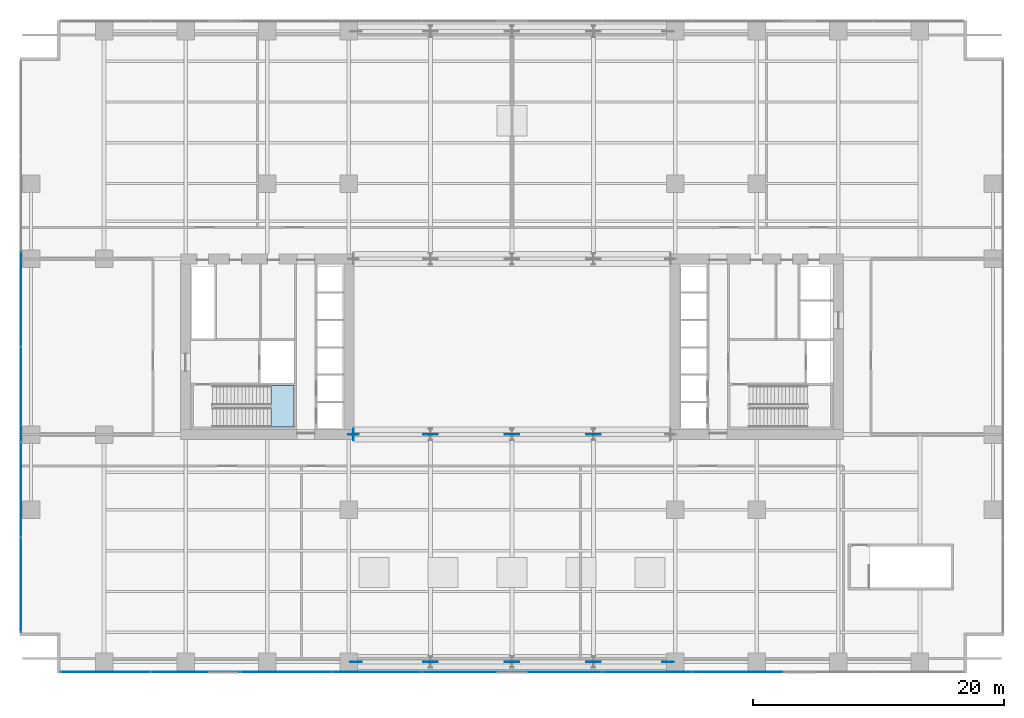
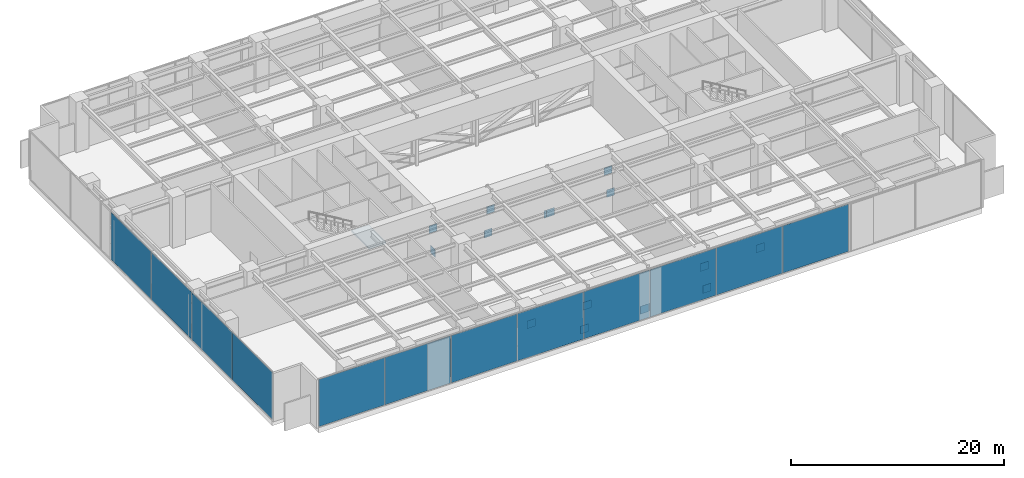
# One storey, part 16 of 25: 28 plates, 1 slab, 3 elements without a shape of their own.
"""IFC4 building model written with IfcOpenShell, lengths in metres."""

from ifc_helpers import new_model, si_unit, direction, frame, origin, origin_2d, place, context, subcontext, project, spatial, polyline, rectangle, outline, extrude, material, layer, layer_set, type_object, element, aggregate, save


model = new_model("IFC4")

# Units and contexts
model_context = context("Model", 3, precision=1e-05, world=origin(), true_north=direction((0.0, 1.0)))
body_context = subcontext(model_context, "Body", "Model", "MODEL_VIEW")
ifc_project = project(units=[si_unit("LENGTHUNIT", "METRE"), si_unit("AREAUNIT", "SQUARE_METRE"), si_unit("VOLUMEUNIT", "CUBIC_METRE"), si_unit("PLANEANGLEUNIT", "RADIAN"), si_unit("MASSUNIT", "GRAM", prefix="KILO")], contexts=[model_context])

# Site, building, storey
site_placement = place(None, origin())
site = spatial("IfcSite", under=ifc_project, at=site_placement, CompositionType="ELEMENT")
building_placement = place(site_placement, origin())
building = spatial("IfcBuilding", under=site, at=building_placement, Name="Putna Gate Headquarters", CompositionType="ELEMENT")
storey_placement = place(building_placement, frame((0.0, 0.0, 22.0)))
storey = spatial("IfcBuildingStorey", under=building, at=storey_placement, Name="L04", CompositionType="ELEMENT", Elevation=22.0)

# Stair, slab
ifc_material_1 = material(Name="Concrete C40/50", Category="concrete")
stair_type = type_object("IfcStairType", Name="STAIR-ST1", PredefinedType="HALF_TURN_STAIR", material=ifc_material_1)
stair_placement = place(storey_placement, origin())
stair = element("IfcStair", 1, at=stair_placement, inside=storey, type_object=stair_type, Name="L04 West Core Exit Stair ST1", PredefinedType="HALF_TURN_STAIR")
ifc_layer_1 = layer(ifc_material_1, 0.199951171875)
ifc_layer_set_1 = layer_set([ifc_layer_1], Name="Concrete C40/50")
slab_type = type_object("IfcSlabType", Name="LANDING-ST1", PredefinedType="LANDING", material=ifc_layer_set_1)
slab_placement = place(storey_placement, frame((0.0, 0.0, 2.699951171875)))
slab = element("IfcSlab", 2, at=slab_placement, type_object=slab_type, Name="ST1 landing 1", PredefinedType="LANDING", context=body_context, shape_type="SweptSolid", body=[
    extrude(outline(polyline([(19.7900390625, 19.60009765625), (21.64990234375, 19.60009765625), (21.64990234375, 22.89990234375), (19.7900390625, 22.89990234375), (19.7900390625, 19.60009765625)])), origin(), (0.0, 0.0, 1.0), 0.199951171875),
])
aggregate(stair, [slab])

# Curtain wall, plates
ifc_material_2 = material(Name="Anodised bronze aluminium curtain wall", Category="aluminium")
ifc_layer_2 = layer(ifc_material_2, 0.159912109375)
ifc_layer_set_2 = layer_set([ifc_layer_2], Name="Anodised bronze aluminium curtain wall")
curtain_wall_type = type_object("IfcCurtainWallType", Name="CW-SYS-CRN", PredefinedType="USERDEFINED", material=ifc_layer_set_2)
curtain_wall_1_placement = place(storey_placement, origin())
curtain_wall_1 = element("IfcCurtainWall", 3, at=curtain_wall_1_placement, inside=storey, type_object=curtain_wall_type, Name="L04 Acoustic Louvre South Enclosure", ObjectType="STICK CURTAIN WALL", PredefinedType="USERDEFINED")
ifc_material_3 = material(Name="Anodised bronze acoustic louvre panel", Category="aluminium")
ifc_layer_3 = layer(ifc_material_3, 0.044921875)
ifc_layer_set_3 = layer_set([ifc_layer_3], Name="Anodised bronze acoustic louvre panel")
plate_type_1 = type_object("IfcPlateType", Name="PAN-CWP-CR", PredefinedType="CURTAIN_PANEL", material=ifc_layer_set_3)
plate_1_placement = place(storey_placement, frame((6.6162109375, 0.080078125, 0.06494140625), z_axis=(0.0, 0.0, 1.0), x_axis=(1.0, 0.0, 0.0)))
plate_1 = element("IfcPlate", 4, at=plate_1_placement, type_object=plate_type_1, Name="CWS-CR panel 1.1", PredefinedType="CURTAIN_PANEL", context=body_context, shape_type="SweptSolid", body=[
    extrude(rectangle(XDim=7.1025390625, YDim=0.044921875, at=origin_2d()), origin(), (0.0, 0.0, 1.0), 5.419921875),
])
plate_2_placement = place(storey_placement, frame((13.800048828125, 0.080078125, 0.06494140625), z_axis=(0.0, 0.0, 1.0), x_axis=(1.0, 0.0, 0.0)))
plate_2 = element("IfcPlate", 5, at=plate_2_placement, type_object=plate_type_1, Name="CWS-CR panel 2.1", PredefinedType="CURTAIN_PANEL", context=body_context, shape_type="SweptSolid", body=[
    extrude(rectangle(XDim=7.135009765625, YDim=0.044921875, at=origin_2d()), origin(), (0.0, 0.0, 1.0), 5.419921875),
])
plate_3_placement = place(storey_placement, frame((21.0, 0.080078125, 0.06494140625), z_axis=(0.0, 0.0, 1.0), x_axis=(1.0, 0.0, 0.0)))
plate_3 = element("IfcPlate", 6, at=plate_3_placement, type_object=plate_type_1, Name="CWS-CR panel 3.1", PredefinedType="CURTAIN_PANEL", context=body_context, shape_type="SweptSolid", body=[
    extrude(rectangle(XDim=7.135009765625, YDim=0.044921875, at=origin_2d()), origin(), (0.0, 0.0, 1.0), 5.419921875),
])
plate_4_placement = place(storey_placement, frame((28.199951171875, 0.080078125, 0.06494140625), z_axis=(0.0, 0.0, 1.0), x_axis=(1.0, 0.0, 0.0)))
plate_4 = element("IfcPlate", 7, at=plate_4_placement, type_object=plate_type_1, Name="CWS-CR panel 4.1", PredefinedType="CURTAIN_PANEL", context=body_context, shape_type="SweptSolid", body=[
    extrude(rectangle(XDim=7.135009765625, YDim=0.044921875, at=origin_2d()), origin(), (0.0, 0.0, 1.0), 5.419921875),
])
plate_5_placement = place(storey_placement, frame((35.39990234375, 0.080078125, 0.06494140625), z_axis=(0.0, 0.0, 1.0), x_axis=(1.0, 0.0, 0.0)))
plate_5 = element("IfcPlate", 8, at=plate_5_placement, type_object=plate_type_1, Name="CWS-CR panel 5.1", PredefinedType="CURTAIN_PANEL", context=body_context, shape_type="SweptSolid", body=[
    extrude(rectangle(XDim=7.135009765625, YDim=0.044921875, at=origin_2d()), origin(), (0.0, 0.0, 1.0), 5.419921875),
])
plate_6_placement = place(storey_placement, frame((42.60009765625, 0.080078125, 0.06494140625), z_axis=(0.0, 0.0, 1.0), x_axis=(1.0, 0.0, 0.0)))
plate_6 = element("IfcPlate", 9, at=plate_6_placement, type_object=plate_type_1, Name="CWS-CR panel 6.1", PredefinedType="CURTAIN_PANEL", context=body_context, shape_type="SweptSolid", body=[
    extrude(rectangle(XDim=7.135009765625, YDim=0.044921875, at=origin_2d()), origin(), (0.0, 0.0, 1.0), 5.419921875),
])
plate_7_placement = place(storey_placement, frame((49.800048828125, 0.080078125, 0.06494140625), z_axis=(0.0, 0.0, 1.0), x_axis=(1.0, 0.0, 0.0)))
plate_7 = element("IfcPlate", 10, at=plate_7_placement, type_object=plate_type_1, Name="CWS-CR panel 7.1", PredefinedType="CURTAIN_PANEL", context=body_context, shape_type="SweptSolid", body=[
    extrude(rectangle(XDim=7.135009765625, YDim=0.044921875, at=origin_2d()), origin(), (0.0, 0.0, 1.0), 5.419921875),
])
plate_8_placement = place(storey_placement, frame((57.0, 0.080078125, 0.06494140625), z_axis=(0.0, 0.0, 1.0), x_axis=(1.0, 0.0, 0.0)))
plate_8 = element("IfcPlate", 11, at=plate_8_placement, type_object=plate_type_1, Name="CWS-CR panel 8.1", PredefinedType="CURTAIN_PANEL", context=body_context, shape_type="SweptSolid", body=[
    extrude(rectangle(XDim=7.135009765625, YDim=0.044921875, at=origin_2d()), origin(), (0.0, 0.0, 1.0), 5.419921875),
])
aggregate(curtain_wall_1, [plate_1, plate_2, plate_3, plate_4, plate_5, plate_6, plate_7, plate_8])

curtain_wall_2_placement = place(storey_placement, origin())
curtain_wall_2 = element("IfcCurtainWall", 12, at=curtain_wall_2_placement, inside=storey, type_object=curtain_wall_type, Name="L04 Acoustic Louvre West Enclosure", ObjectType="STICK CURTAIN WALL", PredefinedType="USERDEFINED")
plate_9_placement = place(storey_placement, frame((-0.1201171875, 7.016357421875, 0.06494140625), z_axis=(0.0, 0.0, 1.0), x_axis=(0.0, 1.0, 0.0)))
plate_9 = element("IfcPlate", 13, at=plate_9_placement, type_object=plate_type_1, Name="CWS-CR panel 1.1", PredefinedType="CURTAIN_PANEL", context=body_context, shape_type="SweptSolid", body=[
    extrude(rectangle(XDim=7.50244140625, YDim=0.044921875, at=origin_2d()), origin(), (0.0, 0.0, 1.0), 5.419921875),
])
plate_10_placement = place(storey_placement, frame((-0.1201171875, 14.60009765625, 0.06494140625), z_axis=(0.0, 0.0, 1.0), x_axis=(0.0, 1.0, 0.0)))
plate_10 = element("IfcPlate", 14, at=plate_10_placement, type_object=plate_type_1, Name="CWS-CR panel 2.1", PredefinedType="CURTAIN_PANEL", context=body_context, shape_type="SweptSolid", body=[
    extrude(rectangle(XDim=7.534912109375, YDim=0.044921875, at=origin_2d()), origin(), (0.0, 0.0, 1.0), 5.419921875),
])
plate_11_placement = place(storey_placement, frame((-0.1201171875, 22.199951171875, 0.06494140625), z_axis=(0.0, 0.0, 1.0), x_axis=(0.0, 1.0, 0.0)))
plate_11 = element("IfcPlate", 15, at=plate_11_placement, type_object=plate_type_1, Name="CWS-CR panel 3.1", PredefinedType="CURTAIN_PANEL", context=body_context, shape_type="SweptSolid", body=[
    extrude(rectangle(XDim=7.534912109375, YDim=0.044921875, at=origin_2d()), origin(), (0.0, 0.0, 1.0), 5.419921875),
])
plate_12_placement = place(storey_placement, frame((-0.1201171875, 29.800048828125, 0.06494140625), z_axis=(0.0, 0.0, 1.0), x_axis=(0.0, 1.0, 0.0)))
plate_12 = element("IfcPlate", 16, at=plate_12_placement, type_object=plate_type_1, Name="CWS-CR panel 4.1", PredefinedType="CURTAIN_PANEL", context=body_context, shape_type="SweptSolid", body=[
    extrude(rectangle(XDim=7.534912109375, YDim=0.044921875, at=origin_2d()), origin(), (0.0, 0.0, 1.0), 5.419921875),
])
aggregate(curtain_wall_2, [plate_9, plate_10, plate_11, plate_12])

# Plates
ifc_material_4 = material(Name="Steel S460M", Category="steel")
ifc_layer_4 = layer(ifc_material_4, 0.0400390625)
ifc_layer_set_4 = layer_set([ifc_layer_4], Name="Steel S460M")
plate_type_2 = type_object("IfcPlateType", Name="PLT-NODE-AN1", PredefinedType="SHEET", material=ifc_layer_set_4)
for number, where, z_axis, x_axis, name in (
    (17, (26.56005859375, 0.8798828125, 2.72998046875), (0.0, 0.0, 1.0), (1.0, 0.0, 0.0), "L04 Transfer Truss Node Plate S-1-1"),
    (18, (32.360107421875, 0.8798828125, 0.10009765625), (0.0, 0.0, 1.0), (1.0, 0.0, 0.0), "L04 Transfer Truss Node Plate S-1-2"),
    (19, (32.639892578125, 0.8798828125, 2.72998046875), (0.0, 0.0, 1.0), (1.0, 0.0, 0.0), "L04 Transfer Truss Node Plate S-2-1"),
    (20, (38.860107421875, 0.8798828125, 0.10009765625), (0.0, 0.0, 1.0), (1.0, 0.0, 0.0), "L04 Transfer Truss Node Plate S-2-2"),
    (21, (39.139892578125, 0.8798828125, 0.10009765625), (0.0, 0.0, 1.0), (1.0, 0.0, 0.0), "L04 Transfer Truss Node Plate S-3-1"),
    (22, (45.360107421875, 0.8798828125, 2.72998046875), (0.0, 0.0, 1.0), (1.0, 0.0, 0.0), "L04 Transfer Truss Node Plate S-3-2"),
    (23, (45.639892578125, 0.8798828125, 0.10009765625), (0.0, 0.0, 1.0), (1.0, 0.0, 0.0), "L04 Transfer Truss Node Plate S-4-1"),
    (24, (51.43994140625, 0.8798828125, 2.72998046875), (0.0, 0.0, 1.0), (1.0, 0.0, 0.0), "L04 Transfer Truss Node Plate S-4-2"),
):
    element("IfcPlate", number, at=place(storey_placement, frame(where, z_axis=z_axis, x_axis=x_axis)), inside=storey, type_object=plate_type_2, Name=name, PredefinedType="SHEET", context=body_context, shape_type="SweptSolid", body=[
        extrude(rectangle(XDim=0.89990234375, YDim=0.0400390625, at=origin_2d()), origin(), (0.0, 0.0, 1.0), 0.89990234375),
    ])
ifc_layer_5 = layer(ifc_material_4, 0.0400390625)
ifc_layer_set_5 = layer_set([ifc_layer_5], Name="Steel S460M")
plate_type_3 = type_object("IfcPlateType", Name="PLT-NODE-ON1", PredefinedType="SHEET", material=ifc_layer_set_5)
plate_13_placement = place(storey_placement, frame((26.3798828125, 19.0, 0.10009765625), z_axis=(0.0, 0.0, 1.0), x_axis=(1.0, 0.0, 0.0)))
element("IfcPlate", 25, at=plate_13_placement, inside=storey, type_object=plate_type_3, Name="L04 Transfer Truss Cast-In Core Embed Plate AS-BC1", PredefinedType="SHEET", context=body_context, shape_type="SweptSolid", body=[
    extrude(rectangle(XDim=0.0380859375, YDim=0.89990234375, at=origin_2d()), origin(), (0.0, 0.0, 1.0), 0.89990234375),
])
for number, where, z_axis, x_axis, name in (
    (26, (26.3798828125, 19.0, 2.7548828125), (0.0, 0.0, 1.0), (1.0, 0.0, 0.0), "L04 Transfer Truss Node Plate AS-1-1"),
    (27, (32.360107421875, 19.0, 0.125), (0.0, 0.0, 1.0), (1.0, 0.0, 0.0), "L04 Transfer Truss Node Plate AS-1-2"),
    (28, (32.639892578125, 19.0, 2.7548828125), (0.0, 0.0, 1.0), (1.0, 0.0, 0.0), "L04 Transfer Truss Node Plate AS-2-1"),
    (29, (38.860107421875, 19.0, 0.125), (0.0, 0.0, 1.0), (1.0, 0.0, 0.0), "L04 Transfer Truss Node Plate AS-2-2"),
    (30, (39.139892578125, 19.0, 0.125), (0.0, 0.0, 1.0), (1.0, 0.0, 0.0), "L04 Transfer Truss Node Plate AS-3-1"),
    (31, (45.360107421875, 19.0, 2.7548828125), (0.0, 0.0, 1.0), (1.0, 0.0, 0.0), "L04 Transfer Truss Node Plate AS-3-2"),
    (32, (45.639892578125, 19.0, 0.125), (0.0, 0.0, 1.0), (1.0, 0.0, 0.0), "L04 Transfer Truss Node Plate AS-4-1"),
):
    element("IfcPlate", number, at=place(storey_placement, frame(where, z_axis=z_axis, x_axis=x_axis)), inside=storey, type_object=plate_type_3, Name=name, PredefinedType="SHEET", context=body_context, shape_type="SweptSolid", body=[
        extrude(rectangle(XDim=0.85009765625, YDim=0.0400390625, at=origin_2d()), origin(), (0.0, 0.0, 1.0), 0.85009765625),
    ])

save(model, "model.ifc")
